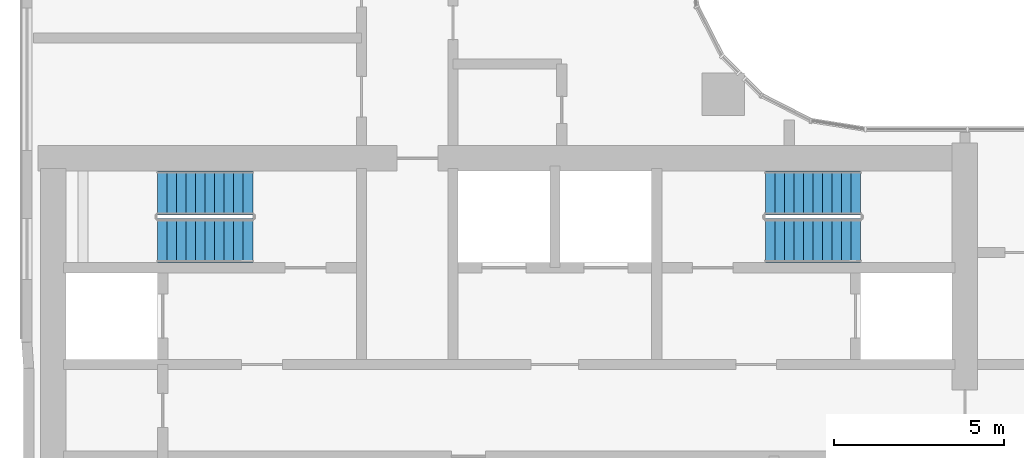
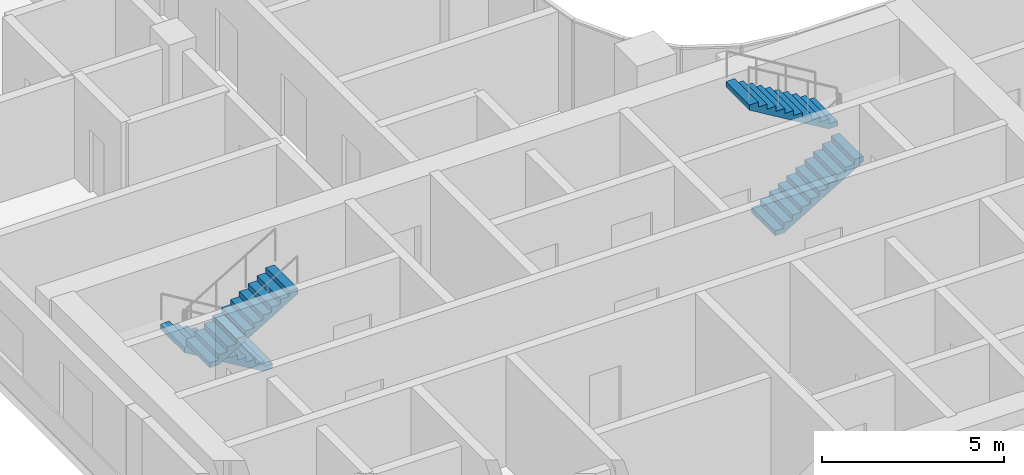
# One storey, part 26 of 35: 4 stair flights, 2 elements without a shape of their own.
"""IFC4 building model written with IfcOpenShell, lengths in metres."""

import ifcopenshell
import ifcopenshell.guid

model = None  # the IFC model being written
_history = None  # IfcOwnerHistory: only IFC2X3 demands one
_inside = {}  # id of a spatial element -> (the spatial element, [elements in it])
_under = {}  # id of a project, library or spatial element -> (it, [spatial elements below it])
_declared = {}  # id of a project -> (the project, [libraries it declares])
_typed = {}  # id of a type object -> (the type object, [elements of that type])
_made_of = {}  # id of a material, layer set ... -> (it, [elements and type objects made of it])


def new_model(schema):
    """Start an empty IFC model of exactly this schema.

    Asked for "IFC4X3", IfcOpenShell would pick the latest addendum, in which some entities
    have other attributes; the version numbers below select the first issue.
    IFC2X3 requires an IfcOwnerHistory on every rooted entity: one is made here for all.
    """
    global model, _history
    if schema == "IFC4X3":
        model = ifcopenshell.file(schema_version=(4, 3, 0, 0))
    else:
        model = ifcopenshell.file(schema=schema)
    _inside.clear()
    _under.clear()
    _declared.clear()
    _typed.clear()
    _made_of.clear()
    _history = None
    if model.schema == "IFC2X3":
        org = make("IfcOrganization", Name="unknown")
        user = make(
            "IfcPersonAndOrganization",
            ThePerson=make("IfcPerson", FamilyName="unknown"),
            TheOrganization=org,
        )
        app = make(
            "IfcApplication",
            ApplicationDeveloper=org,
            Version="unknown",
            ApplicationFullName="unknown",
            ApplicationIdentifier="unknown",
        )
        _history = make(
            "IfcOwnerHistory",
            OwningUser=user,
            OwningApplication=app,
            ChangeAction="ADDED",
            CreationDate=0,
        )
    return model


def make(cls, **values):
    """One entity of the class cls with the attributes given. An attribute that is None is left unset."""
    return model.create_entity(
        cls, **{name: value for name, value in values.items() if value is not None}
    )


def rooted(cls, **values):
    """An entity with a GlobalId (a new one), such as an element, a storey or a relation."""
    return make(cls, GlobalId=ifcopenshell.guid.new(), OwnerHistory=_history, **values)


def si_unit(unit_type, name, prefix=None):
    """IfcSIUnit, for example si_unit("LENGTHUNIT", "METRE", prefix="MILLI")."""
    return make("IfcSIUnit", UnitType=unit_type, Prefix=prefix, Name=name)


def assignment(units):
    """IfcUnitAssignment: the units of a project."""
    return None if units is None else make("IfcUnitAssignment", Units=units)


def point(xyz):
    """IfcCartesianPoint."""
    return None if xyz is None else make("IfcCartesianPoint", Coordinates=xyz)


def direction(xyz):
    """IfcDirection."""
    return None if xyz is None else make("IfcDirection", DirectionRatios=xyz)


def frame(location, z_axis=None, x_axis=None):
    """IfcAxis2Placement3D, a coordinate frame: its origin and axes. An axis left out is left unset."""
    return make(
        "IfcAxis2Placement3D",
        Location=point(location),
        Axis=direction(z_axis),
        RefDirection=direction(x_axis),
    )


def origin():
    """The frame at (0, 0, 0) with its axes left unset."""
    return frame((0.0, 0.0, 0.0))


def place(relative_to, where):
    """IfcLocalPlacement: puts the frame where relative to a parent placement (None: the world)."""
    return make(
        "IfcLocalPlacement", PlacementRelTo=relative_to, RelativePlacement=where
    )


def context(
    kind, dimensions, precision=None, world=None, true_north=None, identifier=None
):
    """IfcGeometricRepresentationContext, for example the 3D "Model" context."""
    return make(
        "IfcGeometricRepresentationContext",
        ContextIdentifier=identifier,
        ContextType=kind,
        CoordinateSpaceDimension=dimensions,
        Precision=precision,
        WorldCoordinateSystem=world,
        TrueNorth=true_north,
    )


def subcontext(parent, identifier, kind, view, scale=None):
    """IfcGeometricRepresentationSubContext, for example "Body" below "Model"."""
    return make(
        "IfcGeometricRepresentationSubContext",
        ContextIdentifier=identifier,
        ContextType=kind,
        ParentContext=parent,
        TargetScale=scale,
        TargetView=view,
    )


def project(units=None, contexts=None):
    """IfcProject with its units and contexts."""
    return rooted(
        "IfcProject",
        Name="project",
        RepresentationContexts=contexts,
        UnitsInContext=assignment(units),
    )


def spatial(cls, under=None, at=None, **own):
    """A site, building, storey or space (cls), placed at a placement, below another one or the project."""
    s = rooted(cls, ObjectPlacement=at, **own)
    if under is not None:
        _under.setdefault(under.id(), (under, []))[1].append(s)
    return s


def point_list(points):
    """IfcCartesianPointList2D or 3D."""
    cls = (
        "IfcCartesianPointList2D" if len(points[0]) == 2 else "IfcCartesianPointList3D"
    )
    return make(cls, CoordList=points)


def triangles(points, corners, closed=None, point_numbers=None):
    """IfcTriangulatedFaceSet: each triangle names its three corners, points numbered from 1."""
    return make(
        "IfcTriangulatedFaceSet",
        Coordinates=point_list(points),
        Closed=closed,
        CoordIndex=corners,
        PnIndex=point_numbers,
    )


def shape(context_of_items, identifier, shape_type, items):
    """IfcShapeRepresentation: the items that make up one representation, for example the "Body"."""
    return make(
        "IfcShapeRepresentation",
        ContextOfItems=context_of_items,
        RepresentationIdentifier=identifier,
        RepresentationType=shape_type,
        Items=items,
    )


def source(mapping_origin, context_of_items, identifier, shape_type, items):
    """IfcRepresentationMap: a shape defined once, which mapped items show again and again."""
    return make(
        "IfcRepresentationMap",
        MappingOrigin=mapping_origin,
        MappedRepresentation=shape(context_of_items, identifier, shape_type, items),
    )


def transform(
    local_origin,
    x_axis=None,
    y_axis=None,
    z_axis=None,
    scale=None,
    scale2=None,
    scale3=None,
    uniform=True,
):
    """IfcCartesianTransformationOperator3D, or its non-uniform kind. x_axis, y_axis, z_axis: its Axis1, 2, 3."""
    if uniform:
        return make(
            "IfcCartesianTransformationOperator3D",
            Axis1=direction(x_axis),
            Axis2=direction(y_axis),
            LocalOrigin=point(local_origin),
            Scale=scale,
            Axis3=direction(z_axis),
        )
    return make(
        "IfcCartesianTransformationOperator3DnonUniform",
        Axis1=direction(x_axis),
        Axis2=direction(y_axis),
        LocalOrigin=point(local_origin),
        Scale=scale,
        Axis3=direction(z_axis),
        Scale2=scale2,
        Scale3=scale3,
    )


def mapped(mapping_source, mapping_target):
    """IfcMappedItem: shows the shape of a source again, moved by a transform."""
    return make(
        "IfcMappedItem", MappingSource=mapping_source, MappingTarget=mapping_target
    )


def material(Name=None, Category=None):
    """IfcMaterial."""
    return make("IfcMaterial", Name=Name, Category=Category)


def made_of(thing, what):
    """Note that an element or type object is made of a material, layer set ...; save() writes the relation."""
    if what is not None:
        _made_of.setdefault(what.id(), (what, []))[1].append(thing)
    return thing


def type_object(cls, material=None, **own):
    """A type object (cls), such as IfcWallType, which elements share."""
    return made_of(rooted(cls, **own), material)


def element(
    cls,
    number,
    at=None,
    inside=None,
    cuts=None,
    type_object=None,
    material=None,
    context=None,
    identifier="Body",
    shape_type=None,
    held_by="IfcProductDefinitionShape",
    body=None,
    shapes=None,
    **own,
):
    """One element of the class cls, such as IfcWall. Its Tag is "e" and its number.

    at: its placement. inside: the storey or other place that contains it. cuts: it is an
    opening in that element (IfcRelVoidsElement). A single representation is given by context,
    identifier, shape_type and body (its items); several are given by shapes. held_by: the class
    of the entity that holds the representations. save() writes the other relations.
    """
    e = rooted(cls, Tag="e%d" % number, ObjectPlacement=at, **own)
    if body is not None:
        shapes = [shape(context, identifier, shape_type, body)]
    if shapes is not None:
        e.Representation = make(held_by, Representations=shapes)
    if inside is not None:
        _inside.setdefault(inside.id(), (inside, []))[1].append(e)
    if cuts is not None:
        rooted(
            "IfcRelVoidsElement", RelatingBuildingElement=cuts, RelatedOpeningElement=e
        )
    if type_object is not None:
        _typed.setdefault(type_object.id(), (type_object, []))[1].append(e)
    return made_of(e, material)


def aggregate(whole, parts):
    """IfcRelAggregates: a whole, such as a stair, and the parts it consists of."""
    return rooted("IfcRelAggregates", RelatingObject=whole, RelatedObjects=parts)


def save(model, path):
    """Write the relations noted so far, then the file.

    IfcRelAggregates (storeys below a building ...), IfcRelContainedInSpatialStructure (elements
    in a storey), IfcRelDefinesByType, IfcRelAssociatesMaterial and IfcRelDeclares: one each for
    every whole, place, type object, material and project.
    """
    for whole, parts in _under.values():
        aggregate(whole, parts)
    for where, things in _inside.values():
        rooted(
            "IfcRelContainedInSpatialStructure",
            RelatedElements=things,
            RelatingStructure=where,
        )
    for kind, things in _typed.values():
        rooted("IfcRelDefinesByType", RelatedObjects=things, RelatingType=kind)
    for what, things in _made_of.values():
        rooted("IfcRelAssociatesMaterial", RelatedObjects=things, RelatingMaterial=what)
    for by, libraries in _declared.values():
        rooted("IfcRelDeclares", RelatingContext=by, RelatedDefinitions=libraries)
    model.write(path)


model = new_model("IFC4")

# Units and contexts
model_context = context("Model", 3, precision=1e-05, world=origin(), true_north=direction((0.0, 1.0)))
body_context = subcontext(model_context, "Body", "Model", "MODEL_VIEW")
ifc_project = project(units=[si_unit("LENGTHUNIT", "METRE"), si_unit("AREAUNIT", "SQUARE_METRE"), si_unit("VOLUMEUNIT", "CUBIC_METRE"), si_unit("PLANEANGLEUNIT", "RADIAN"), si_unit("MASSUNIT", "GRAM", prefix="KILO")], contexts=[model_context])

# Site, building, storey
site_placement = place(None, origin())
site = spatial("IfcSite", under=ifc_project, at=site_placement, CompositionType="ELEMENT")
building_placement = place(site_placement, origin())
building = spatial("IfcBuilding", under=site, at=building_placement, Name="Ogive Portal Towers", CompositionType="ELEMENT")
storey_placement = place(building_placement, frame((0.0, 0.0, 94.5)))
storey = spatial("IfcBuildingStorey", under=building, at=storey_placement, Name="L22", CompositionType="ELEMENT", Elevation=94.5)

# Stair, stair flights
ifc_material = material(Name="Concrete C40/50", Category="concrete")
stair_type = type_object("IfcStairType", Name="INT-STAIR", PredefinedType="HALF_TURN_STAIR", material=ifc_material)
stair_1_placement = place(storey_placement, origin())
stair_1 = element("IfcStair", 1, at=stair_1_placement, inside=storey, type_object=stair_type, Name="L22 Exit Stair ST-A1", PredefinedType="HALF_TURN_STAIR")
stair_flight_type = type_object("IfcStairFlightType", Name="INT-FLIGHT", PredefinedType="STRAIGHT", material=ifc_material)
shared_shape = source(origin(), body_context, "Body", "Tessellation", [
    triangles([(0.0, -0.650146484375, 0.0), (0.0, -0.376220703125, 0.0), (0.0, -0.192626953125, 0.0), (0.0, -0.081298828125, 0.0), (0.0, -0.024169921875, 0.0), (0.0, -0.003173828125, 0.0), (0.0, 0.0, 0.0), (0.0, 0.0029296875, 0.0), (0.0, 0.02392578125, 0.0), (0.0, 0.0810546875, 0.0), (0.0, 0.1923828125, 0.0), (0.0, 0.3759765625, 0.0), (0.0, 0.64990234375, 0.0), (0.0, -0.650146484375, 0.168212890625), (0.0, -0.376220703125, 0.168212890625), (0.0, -0.192626953125, 0.168212890625), (0.0, -0.081298828125, 0.168212890625), (0.0, -0.024169921875, 0.168212890625), (0.0, -0.003173828125, 0.168212890625), (0.0, 0.0, 0.168212890625), (0.0, 0.0029296875, 0.168212890625), (0.0, 0.02392578125, 0.168212890625), (0.0, 0.0810546875, 0.168212890625), (0.0, 0.1923828125, 0.168212890625), (0.0, 0.3759765625, 0.168212890625), (0.0, 0.64990234375, 0.168212890625), (0.280029296875, -0.650146484375, 0.168212890625), (0.280029296875, -0.376220703125, 0.168212890625), (0.280029296875, -0.192626953125, 0.168212890625), (0.280029296875, -0.081298828125, 0.168212890625), (0.280029296875, -0.024169921875, 0.168212890625), (0.280029296875, -0.003173828125, 0.168212890625), (0.280029296875, 0.0, 0.168212890625), (0.280029296875, 0.0029296875, 0.168212890625), (0.280029296875, 0.02392578125, 0.168212890625), (0.280029296875, 0.0810546875, 0.168212890625), (0.280029296875, 0.1923828125, 0.168212890625), (0.280029296875, 0.3759765625, 0.168212890625), (0.280029296875, 0.64990234375, 0.168212890625), (0.280029296875, -0.650146484375, 0.33642578125), (0.280029296875, -0.376220703125, 0.33642578125), (0.280029296875, -0.192626953125, 0.33642578125), (0.280029296875, -0.081298828125, 0.33642578125), (0.280029296875, -0.024169921875, 0.33642578125), (0.280029296875, -0.003173828125, 0.33642578125), (0.280029296875, 0.0, 0.33642578125), (0.280029296875, 0.0029296875, 0.33642578125), (0.280029296875, 0.02392578125, 0.33642578125), (0.280029296875, 0.0810546875, 0.33642578125), (0.280029296875, 0.1923828125, 0.33642578125), (0.280029296875, 0.3759765625, 0.33642578125), (0.280029296875, 0.64990234375, 0.33642578125), (0.56005859375, -0.650146484375, 0.33642578125), (0.56005859375, -0.376220703125, 0.33642578125), (0.56005859375, -0.192626953125, 0.33642578125), (0.56005859375, -0.081298828125, 0.33642578125), (0.56005859375, -0.024169921875, 0.33642578125), (0.56005859375, -0.003173828125, 0.33642578125), (0.56005859375, 0.0, 0.33642578125), (0.56005859375, 0.0029296875, 0.33642578125), (0.56005859375, 0.02392578125, 0.33642578125), (0.56005859375, 0.0810546875, 0.33642578125), (0.56005859375, 0.1923828125, 0.33642578125), (0.56005859375, 0.3759765625, 0.33642578125), (0.56005859375, 0.64990234375, 0.33642578125), (0.56005859375, -0.650146484375, 0.504638671875), (0.56005859375, -0.376220703125, 0.504638671875), (0.56005859375, -0.192626953125, 0.504638671875), (0.56005859375, -0.081298828125, 0.504638671875), (0.56005859375, -0.024169921875, 0.504638671875), (0.56005859375, -0.003173828125, 0.504638671875), (0.56005859375, 0.0, 0.504638671875), (0.56005859375, 0.0029296875, 0.504638671875), (0.56005859375, 0.02392578125, 0.504638671875), (0.56005859375, 0.0810546875, 0.504638671875), (0.56005859375, 0.1923828125, 0.504638671875), (0.56005859375, 0.3759765625, 0.504638671875), (0.56005859375, 0.64990234375, 0.504638671875), (0.840087890625, -0.650146484375, 0.504638671875), (0.840087890625, -0.376220703125, 0.504638671875), (0.840087890625, -0.192626953125, 0.504638671875), (0.840087890625, -0.081298828125, 0.504638671875), (0.840087890625, -0.024169921875, 0.504638671875), (0.840087890625, -0.003173828125, 0.504638671875), (0.840087890625, 0.0, 0.504638671875), (0.840087890625, 0.0029296875, 0.504638671875), (0.840087890625, 0.02392578125, 0.504638671875), (0.840087890625, 0.0810546875, 0.504638671875), (0.840087890625, 0.1923828125, 0.504638671875), (0.840087890625, 0.3759765625, 0.504638671875), (0.840087890625, 0.64990234375, 0.504638671875), (0.840087890625, -0.650146484375, 0.672607421875), (0.840087890625, -0.376220703125, 0.672607421875), (0.840087890625, -0.192626953125, 0.672607421875), (0.840087890625, -0.081298828125, 0.672607421875), (0.840087890625, -0.024169921875, 0.672607421875), (0.840087890625, -0.003173828125, 0.672607421875), (0.840087890625, 0.0, 0.672607421875), (0.840087890625, 0.0029296875, 0.672607421875), (0.840087890625, 0.02392578125, 0.672607421875), (0.840087890625, 0.0810546875, 0.672607421875), (0.840087890625, 0.1923828125, 0.672607421875), (0.840087890625, 0.3759765625, 0.672607421875), (0.840087890625, 0.64990234375, 0.672607421875), (1.1201171875, -0.650146484375, 0.672607421875), (1.1201171875, -0.376220703125, 0.672607421875), (1.1201171875, -0.192626953125, 0.672607421875), (1.1201171875, -0.081298828125, 0.672607421875), (1.1201171875, -0.024169921875, 0.672607421875), (1.1201171875, -0.003173828125, 0.672607421875), (1.1201171875, 0.0, 0.672607421875), (1.1201171875, 0.0029296875, 0.672607421875), (1.1201171875, 0.02392578125, 0.672607421875), (1.1201171875, 0.0810546875, 0.672607421875), (1.1201171875, 0.1923828125, 0.672607421875), (1.1201171875, 0.3759765625, 0.672607421875), (1.1201171875, 0.64990234375, 0.672607421875), (1.1201171875, -0.650146484375, 0.8408203125), (1.1201171875, -0.376220703125, 0.8408203125), (1.1201171875, -0.192626953125, 0.8408203125), (1.1201171875, -0.081298828125, 0.8408203125), (1.1201171875, -0.024169921875, 0.8408203125), (1.1201171875, -0.003173828125, 0.8408203125), (1.1201171875, 0.0, 0.8408203125), (1.1201171875, 0.0029296875, 0.8408203125), (1.1201171875, 0.02392578125, 0.8408203125), (1.1201171875, 0.0810546875, 0.8408203125), (1.1201171875, 0.1923828125, 0.8408203125), (1.1201171875, 0.3759765625, 0.8408203125), (1.1201171875, 0.64990234375, 0.8408203125), (1.39990234375, -0.650146484375, 0.8408203125), (1.39990234375, -0.376220703125, 0.8408203125), (1.39990234375, -0.192626953125, 0.8408203125), (1.39990234375, -0.081298828125, 0.8408203125), (1.39990234375, -0.024169921875, 0.8408203125), (1.39990234375, -0.003173828125, 0.8408203125), (1.39990234375, 0.0, 0.8408203125), (1.39990234375, 0.0029296875, 0.8408203125), (1.39990234375, 0.02392578125, 0.8408203125), (1.39990234375, 0.0810546875, 0.8408203125), (1.39990234375, 0.1923828125, 0.8408203125), (1.39990234375, 0.3759765625, 0.8408203125), (1.39990234375, 0.64990234375, 0.8408203125), (1.39990234375, -0.650146484375, 1.009033203125), (1.39990234375, -0.376220703125, 1.009033203125), (1.39990234375, -0.192626953125, 1.009033203125), (1.39990234375, -0.081298828125, 1.009033203125), (1.39990234375, -0.024169921875, 1.009033203125), (1.39990234375, -0.003173828125, 1.009033203125), (1.39990234375, 0.0, 1.009033203125), (1.39990234375, 0.0029296875, 1.009033203125), (1.39990234375, 0.02392578125, 1.009033203125), (1.39990234375, 0.0810546875, 1.009033203125), (1.39990234375, 0.1923828125, 1.009033203125), (1.39990234375, 0.3759765625, 1.009033203125), (1.39990234375, 0.64990234375, 1.009033203125), (1.679931640625, -0.650146484375, 1.009033203125), (1.679931640625, -0.376220703125, 1.009033203125), (1.679931640625, -0.192626953125, 1.009033203125), (1.679931640625, -0.081298828125, 1.009033203125), (1.679931640625, -0.024169921875, 1.009033203125), (1.679931640625, -0.003173828125, 1.009033203125), (1.679931640625, 0.0, 1.009033203125), (1.679931640625, 0.0029296875, 1.009033203125), (1.679931640625, 0.02392578125, 1.009033203125), (1.679931640625, 0.0810546875, 1.009033203125), (1.679931640625, 0.1923828125, 1.009033203125), (1.679931640625, 0.3759765625, 1.009033203125), (1.679931640625, 0.64990234375, 1.009033203125), (1.679931640625, -0.650146484375, 1.17724609375), (1.679931640625, -0.376220703125, 1.17724609375), (1.679931640625, -0.192626953125, 1.17724609375), (1.679931640625, -0.081298828125, 1.17724609375), (1.679931640625, -0.024169921875, 1.17724609375), (1.679931640625, -0.003173828125, 1.17724609375), (1.679931640625, 0.0, 1.17724609375), (1.679931640625, 0.0029296875, 1.17724609375), (1.679931640625, 0.02392578125, 1.17724609375), (1.679931640625, 0.0810546875, 1.17724609375), (1.679931640625, 0.1923828125, 1.17724609375), (1.679931640625, 0.3759765625, 1.17724609375), (1.679931640625, 0.64990234375, 1.17724609375), (1.9599609375, -0.650146484375, 1.17724609375), (1.9599609375, -0.376220703125, 1.17724609375), (1.9599609375, -0.192626953125, 1.17724609375), (1.9599609375, -0.081298828125, 1.17724609375), (1.9599609375, -0.024169921875, 1.17724609375), (1.9599609375, -0.003173828125, 1.17724609375), (1.9599609375, 0.0, 1.17724609375), (1.9599609375, 0.0029296875, 1.17724609375), (1.9599609375, 0.02392578125, 1.17724609375), (1.9599609375, 0.0810546875, 1.17724609375), (1.9599609375, 0.1923828125, 1.17724609375), (1.9599609375, 0.3759765625, 1.17724609375), (1.9599609375, 0.64990234375, 1.17724609375), (1.9599609375, -0.650146484375, 1.345458984375), (1.9599609375, -0.376220703125, 1.345458984375), (1.9599609375, -0.192626953125, 1.345458984375), (1.9599609375, -0.081298828125, 1.345458984375), (1.9599609375, -0.024169921875, 1.345458984375), (1.9599609375, -0.003173828125, 1.345458984375), (1.9599609375, 0.0, 1.345458984375), (1.9599609375, 0.0029296875, 1.345458984375), (1.9599609375, 0.02392578125, 1.345458984375), (1.9599609375, 0.0810546875, 1.345458984375), (1.9599609375, 0.1923828125, 1.345458984375), (1.9599609375, 0.3759765625, 1.345458984375), (1.9599609375, 0.64990234375, 1.345458984375), (2.239990234375, -0.650146484375, 1.345458984375), (2.239990234375, -0.376220703125, 1.345458984375), (2.239990234375, -0.192626953125, 1.345458984375), (2.239990234375, -0.081298828125, 1.345458984375), (2.239990234375, -0.024169921875, 1.345458984375), (2.239990234375, -0.003173828125, 1.345458984375), (2.239990234375, 0.0, 1.345458984375), (2.239990234375, 0.0029296875, 1.345458984375), (2.239990234375, 0.02392578125, 1.345458984375), (2.239990234375, 0.0810546875, 1.345458984375), (2.239990234375, 0.1923828125, 1.345458984375), (2.239990234375, 0.3759765625, 1.345458984375), (2.239990234375, 0.64990234375, 1.345458984375), (2.239990234375, -0.650146484375, 1.513671875), (2.239990234375, -0.376220703125, 1.513671875), (2.239990234375, -0.192626953125, 1.513671875), (2.239990234375, -0.081298828125, 1.513671875), (2.239990234375, -0.024169921875, 1.513671875), (2.239990234375, -0.003173828125, 1.513671875), (2.239990234375, 0.0, 1.513671875), (2.239990234375, 0.0029296875, 1.513671875), (2.239990234375, 0.02392578125, 1.513671875), (2.239990234375, 0.0810546875, 1.513671875), (2.239990234375, 0.1923828125, 1.513671875), (2.239990234375, 0.3759765625, 1.513671875), (2.239990234375, 0.64990234375, 1.513671875), (2.52001953125, -0.650146484375, 1.513671875), (2.52001953125, -0.376220703125, 1.513671875), (2.52001953125, -0.192626953125, 1.513671875), (2.52001953125, -0.081298828125, 1.513671875), (2.52001953125, -0.024169921875, 1.513671875), (2.52001953125, -0.003173828125, 1.513671875), (2.52001953125, 0.0, 1.513671875), (2.52001953125, 0.0029296875, 1.513671875), (2.52001953125, 0.02392578125, 1.513671875), (2.52001953125, 0.0810546875, 1.513671875), (2.52001953125, 0.1923828125, 1.513671875), (2.52001953125, 0.3759765625, 1.513671875), (2.52001953125, 0.64990234375, 1.513671875), (2.52001953125, -0.650146484375, 1.681884765625), (2.52001953125, -0.376220703125, 1.681884765625), (2.52001953125, -0.192626953125, 1.681884765625), (2.52001953125, -0.081298828125, 1.681884765625), (2.52001953125, -0.024169921875, 1.681884765625), (2.52001953125, -0.003173828125, 1.681884765625), (2.52001953125, 0.0, 1.681884765625), (2.52001953125, 0.0029296875, 1.681884765625), (2.52001953125, 0.02392578125, 1.681884765625), (2.52001953125, 0.0810546875, 1.681884765625), (2.52001953125, 0.1923828125, 1.681884765625), (2.52001953125, 0.3759765625, 1.681884765625), (2.52001953125, 0.64990234375, 1.681884765625), (2.800048828125, -0.650146484375, 1.681884765625), (2.800048828125, -0.376220703125, 1.681884765625), (2.800048828125, -0.192626953125, 1.681884765625), (2.800048828125, -0.081298828125, 1.681884765625), (2.800048828125, -0.024169921875, 1.681884765625), (2.800048828125, -0.003173828125, 1.681884765625), (2.800048828125, 0.0, 1.681884765625), (2.800048828125, 0.0029296875, 1.681884765625), (2.800048828125, 0.02392578125, 1.681884765625), (2.800048828125, 0.0810546875, 1.681884765625), (2.800048828125, 0.1923828125, 1.681884765625), (2.800048828125, 0.3759765625, 1.681884765625), (2.800048828125, 0.64990234375, 1.681884765625), (2.800048828125, -0.650146484375, 1.5068359375), (2.800048828125, -0.376220703125, 1.5068359375), (2.800048828125, -0.192626953125, 1.5068359375), (2.800048828125, -0.081298828125, 1.5068359375), (2.800048828125, -0.024169921875, 1.5068359375), (2.800048828125, -0.003173828125, 1.5068359375), (2.800048828125, 0.0, 1.5068359375), (2.800048828125, 0.0029296875, 1.5068359375), (2.800048828125, 0.02392578125, 1.5068359375), (2.800048828125, 0.0810546875, 1.5068359375), (2.800048828125, 0.1923828125, 1.5068359375), (2.800048828125, 0.3759765625, 1.5068359375), (2.800048828125, 0.64990234375, 1.5068359375), (0.291015625, -0.650146484375, 0.0), (0.291015625, -0.376220703125, 0.0), (0.291015625, -0.192626953125, 0.0), (0.291015625, -0.081298828125, 0.0), (0.291015625, -0.024169921875, 0.0), (0.291015625, -0.003173828125, 0.0), (0.291015625, 0.0, 0.0), (0.291015625, 0.0029296875, 0.0), (0.291015625, 0.02392578125, 0.0), (0.291015625, 0.0810546875, 0.0), (0.291015625, 0.1923828125, 0.0), (0.291015625, 0.3759765625, 0.0), (0.291015625, 0.64990234375, 0.0)], [[1, 14, 15], [1, 15, 2], [2, 15, 16], [2, 16, 3], [3, 16, 17], [3, 17, 4], [4, 17, 18], [4, 18, 5], [5, 18, 19], [5, 19, 6], [6, 19, 20], [6, 20, 7], [7, 20, 21], [7, 21, 8], [8, 21, 22], [8, 22, 9], [9, 22, 23], [9, 23, 10], [10, 23, 24], [10, 24, 11], [11, 24, 25], [11, 25, 12], [12, 25, 26], [12, 26, 13], [14, 27, 28], [14, 28, 15], [15, 28, 29], [15, 29, 16], [16, 29, 30], [16, 30, 17], [17, 30, 31], [17, 31, 18], [18, 31, 32], [18, 32, 19], [19, 32, 33], [19, 33, 20], [20, 33, 34], [20, 34, 21], [21, 34, 35], [21, 35, 22], [22, 35, 36], [22, 36, 23], [23, 36, 37], [23, 37, 24], [24, 37, 38], [24, 38, 25], [25, 38, 39], [25, 39, 26], [27, 40, 41], [27, 41, 28], [28, 41, 42], [28, 42, 29], [29, 42, 43], [29, 43, 30], [30, 43, 44], [30, 44, 31], [31, 44, 45], [31, 45, 32], [32, 45, 46], [32, 46, 33], [33, 46, 47], [33, 47, 34], [34, 47, 48], [34, 48, 35], [35, 48, 49], [35, 49, 36], [36, 49, 50], [36, 50, 37], [37, 50, 51], [37, 51, 38], [38, 51, 52], [38, 52, 39], [40, 53, 54], [40, 54, 41], [41, 54, 55], [41, 55, 42], [42, 55, 56], [42, 56, 43], [43, 56, 57], [43, 57, 44], [44, 57, 58], [44, 58, 45], [45, 58, 59], [45, 59, 46], [46, 59, 60], [46, 60, 47], [47, 60, 61], [47, 61, 48], [48, 61, 62], [48, 62, 49], [49, 62, 63], [49, 63, 50], [50, 63, 64], [50, 64, 51], [51, 64, 65], [51, 65, 52], [53, 66, 67], [53, 67, 54], [54, 67, 68], [54, 68, 55], [55, 68, 69], [55, 69, 56], [56, 69, 70], [56, 70, 57], [57, 70, 71], [57, 71, 58], [58, 71, 72], [58, 72, 59], [59, 72, 73], [59, 73, 60], [60, 73, 74], [60, 74, 61], [61, 74, 75], [61, 75, 62], [62, 75, 76], [62, 76, 63], [63, 76, 77], [63, 77, 64], [64, 77, 78], [64, 78, 65], [66, 79, 80], [66, 80, 67], [67, 80, 81], [67, 81, 68], [68, 81, 82], [68, 82, 69], [69, 82, 83], [69, 83, 70], [70, 83, 84], [70, 84, 71], [71, 84, 85], [71, 85, 72], [72, 85, 86], [72, 86, 73], [73, 86, 87], [73, 87, 74], [74, 87, 88], [74, 88, 75], [75, 88, 89], [75, 89, 76], [76, 89, 90], [76, 90, 77], [77, 90, 91], [77, 91, 78], [79, 92, 93], [79, 93, 80], [80, 93, 94], [80, 94, 81], [81, 94, 95], [81, 95, 82], [82, 95, 96], [82, 96, 83], [83, 96, 97], [83, 97, 84], [84, 97, 98], [84, 98, 85], [85, 98, 99], [85, 99, 86], [86, 99, 100], [86, 100, 87], [87, 100, 101], [87, 101, 88], [88, 101, 102], [88, 102, 89], [89, 102, 103], [89, 103, 90], [90, 103, 104], [90, 104, 91], [92, 105, 106], [92, 106, 93], [93, 106, 107], [93, 107, 94], [94, 107, 108], [94, 108, 95], [95, 108, 109], [95, 109, 96], [96, 109, 110], [96, 110, 97], [97, 110, 111], [97, 111, 98], [98, 111, 112], [98, 112, 99], [99, 112, 113], [99, 113, 100], [100, 113, 114], [100, 114, 101], [101, 114, 115], [101, 115, 102], [102, 115, 116], [102, 116, 103], [103, 116, 117], [103, 117, 104], [105, 118, 119], [105, 119, 106], [106, 119, 120], [106, 120, 107], [107, 120, 121], [107, 121, 108], [108, 121, 122], [108, 122, 109], [109, 122, 123], [109, 123, 110], [110, 123, 124], [110, 124, 111], [111, 124, 125], [111, 125, 112], [112, 125, 126], [112, 126, 113], [113, 126, 127], [113, 127, 114], [114, 127, 128], [114, 128, 115], [115, 128, 129], [115, 129, 116], [116, 129, 130], [116, 130, 117], [118, 131, 132], [118, 132, 119], [119, 132, 133], [119, 133, 120], [120, 133, 134], [120, 134, 121], [121, 134, 135], [121, 135, 122], [122, 135, 136], [122, 136, 123], [123, 136, 137], [123, 137, 124], [124, 137, 138], [124, 138, 125], [125, 138, 139], [125, 139, 126], [126, 139, 140], [126, 140, 127], [127, 140, 141], [127, 141, 128], [128, 141, 142], [128, 142, 129], [129, 142, 143], [129, 143, 130], [131, 144, 145], [131, 145, 132], [132, 145, 146], [132, 146, 133], [133, 146, 147], [133, 147, 134], [134, 147, 148], [134, 148, 135], [135, 148, 149], [135, 149, 136], [136, 149, 150], [136, 150, 137], [137, 150, 151], [137, 151, 138], [138, 151, 152], [138, 152, 139], [139, 152, 153], [139, 153, 140], [140, 153, 154], [140, 154, 141], [141, 154, 155], [141, 155, 142], [142, 155, 156], [142, 156, 143], [144, 157, 158], [144, 158, 145], [145, 158, 159], [145, 159, 146], [146, 159, 160], [146, 160, 147], [147, 160, 161], [147, 161, 148], [148, 161, 162], [148, 162, 149], [149, 162, 163], [149, 163, 150], [150, 163, 164], [150, 164, 151], [151, 164, 165], [151, 165, 152], [152, 165, 166], [152, 166, 153], [153, 166, 167], [153, 167, 154], [154, 167, 168], [154, 168, 155], [155, 168, 169], [155, 169, 156], [157, 170, 171], [157, 171, 158], [158, 171, 172], [158, 172, 159], [159, 172, 173], [159, 173, 160], [160, 173, 174], [160, 174, 161], [161, 174, 175], [161, 175, 162], [162, 175, 176], [162, 176, 163], [163, 176, 177], [163, 177, 164], [164, 177, 178], [164, 178, 165], [165, 178, 179], [165, 179, 166], [166, 179, 180], [166, 180, 167], [167, 180, 181], [167, 181, 168], [168, 181, 182], [168, 182, 169], [170, 183, 184], [170, 184, 171], [171, 184, 185], [171, 185, 172], [172, 185, 186], [172, 186, 173], [173, 186, 187], [173, 187, 174], [174, 187, 188], [174, 188, 175], [175, 188, 189], [175, 189, 176], [176, 189, 190], [176, 190, 177], [177, 190, 191], [177, 191, 178], [178, 191, 192], [178, 192, 179], [179, 192, 193], [179, 193, 180], [180, 193, 194], [180, 194, 181], [181, 194, 195], [181, 195, 182], [183, 196, 197], [183, 197, 184], [184, 197, 198], [184, 198, 185], [185, 198, 199], [185, 199, 186], [186, 199, 200], [186, 200, 187], [187, 200, 201], [187, 201, 188], [188, 201, 202], [188, 202, 189], [189, 202, 203], [189, 203, 190], [190, 203, 204], [190, 204, 191], [191, 204, 205], [191, 205, 192], [192, 205, 206], [192, 206, 193], [193, 206, 207], [193, 207, 194], [194, 207, 208], [194, 208, 195], [196, 209, 210], [196, 210, 197], [197, 210, 211], [197, 211, 198], [198, 211, 212], [198, 212, 199], [199, 212, 213], [199, 213, 200], [200, 213, 214], [200, 214, 201], [201, 214, 215], [201, 215, 202], [202, 215, 216], [202, 216, 203], [203, 216, 217], [203, 217, 204], [204, 217, 218], [204, 218, 205], [205, 218, 219], [205, 219, 206], [206, 219, 220], [206, 220, 207], [207, 220, 221], [207, 221, 208], [209, 222, 223], [209, 223, 210], [210, 223, 224], [210, 224, 211], [211, 224, 225], [211, 225, 212], [212, 225, 226], [212, 226, 213], [213, 226, 227], [213, 227, 214], [214, 227, 228], [214, 228, 215], [215, 228, 229], [215, 229, 216], [216, 229, 230], [216, 230, 217], [217, 230, 231], [217, 231, 218], [218, 231, 232], [218, 232, 219], [219, 232, 233], [219, 233, 220], [220, 233, 234], [220, 234, 221], [222, 235, 236], [222, 236, 223], [223, 236, 237], [223, 237, 224], [224, 237, 238], [224, 238, 225], [225, 238, 239], [225, 239, 226], [226, 239, 240], [226, 240, 227], [227, 240, 241], [227, 241, 228], [228, 241, 242], [228, 242, 229], [229, 242, 243], [229, 243, 230], [230, 243, 244], [230, 244, 231], [231, 244, 245], [231, 245, 232], [232, 245, 246], [232, 246, 233], [233, 246, 247], [233, 247, 234], [235, 248, 249], [235, 249, 236], [236, 249, 250], [236, 250, 237], [237, 250, 251], [237, 251, 238], [238, 251, 252], [238, 252, 239], [239, 252, 253], [239, 253, 240], [240, 253, 254], [240, 254, 241], [241, 254, 255], [241, 255, 242], [242, 255, 256], [242, 256, 243], [243, 256, 257], [243, 257, 244], [244, 257, 258], [244, 258, 245], [245, 258, 259], [245, 259, 246], [246, 259, 260], [246, 260, 247], [248, 261, 262], [248, 262, 249], [249, 262, 263], [249, 263, 250], [250, 263, 264], [250, 264, 251], [251, 264, 265], [251, 265, 252], [252, 265, 266], [252, 266, 253], [253, 266, 267], [253, 267, 254], [254, 267, 268], [254, 268, 255], [255, 268, 269], [255, 269, 256], [256, 269, 270], [256, 270, 257], [257, 270, 271], [257, 271, 258], [258, 271, 272], [258, 272, 259], [259, 272, 273], [259, 273, 260], [261, 274, 275], [261, 275, 262], [262, 275, 276], [262, 276, 263], [263, 276, 277], [263, 277, 264], [264, 277, 278], [264, 278, 265], [265, 278, 279], [265, 279, 266], [266, 279, 280], [266, 280, 267], [267, 280, 281], [267, 281, 268], [268, 281, 282], [268, 282, 269], [269, 282, 283], [269, 283, 270], [270, 283, 284], [270, 284, 271], [271, 284, 285], [271, 285, 272], [272, 285, 286], [272, 286, 273], [274, 287, 288], [274, 288, 275], [275, 288, 289], [275, 289, 276], [276, 289, 290], [276, 290, 277], [277, 290, 291], [277, 291, 278], [278, 291, 292], [278, 292, 279], [279, 292, 293], [279, 293, 280], [280, 293, 294], [280, 294, 281], [281, 294, 295], [281, 295, 282], [282, 295, 296], [282, 296, 283], [283, 296, 297], [283, 297, 284], [284, 297, 298], [284, 298, 285], [285, 298, 299], [285, 299, 286], [287, 1, 2], [287, 2, 288], [288, 2, 3], [288, 3, 289], [289, 3, 4], [289, 4, 290], [290, 4, 5], [290, 5, 291], [291, 5, 6], [291, 6, 292], [292, 6, 7], [292, 7, 293], [293, 7, 8], [293, 8, 294], [294, 8, 9], [294, 9, 295], [295, 9, 10], [295, 10, 296], [296, 10, 11], [296, 11, 297], [297, 11, 12], [297, 12, 298], [298, 12, 13], [298, 13, 299], [1, 287, 274], [13, 286, 299], [274, 261, 248], [286, 260, 273], [274, 248, 235], [286, 247, 260], [274, 235, 222], [286, 234, 247], [274, 222, 209], [286, 221, 234], [209, 196, 183], [221, 195, 208], [274, 209, 183], [286, 195, 221], [183, 170, 157], [195, 169, 182], [274, 183, 157], [286, 169, 195], [157, 144, 131], [169, 143, 156], [274, 157, 131], [286, 143, 169], [131, 118, 105], [143, 117, 130], [274, 131, 105], [286, 117, 143], [1, 274, 105], [13, 117, 286], [105, 92, 79], [117, 91, 104], [79, 66, 53], [91, 65, 78], [105, 79, 53], [117, 65, 91], [53, 40, 27], [65, 39, 52], [105, 53, 27], [117, 39, 65], [1, 105, 27], [13, 39, 117], [27, 14, 1], [39, 13, 26]], closed=True),
])
stair_flight_1_placement = place(storey_placement, frame((37.449951171875, 38.39990234375, 0.0), z_axis=(0.0, 0.0, 1.0), x_axis=(-1.0, 0.0, 0.0)))
stair_flight_1 = element("IfcStairFlight", 2, at=stair_flight_1_placement, type_object=stair_flight_type, Name="ST-A1 flight 1", NumberOfRisers=11, NumberOfTreads=10, PredefinedType="STRAIGHT", RiserHeight=0.168181818, TreadLength=0.28, context=body_context, shape_type="MappedRepresentation", body=[
    mapped(shared_shape, transform((0.0, 0.0, 0.0), scale=1.0)),
])
stair_flight_2_placement = place(storey_placement, frame((34.64990234375, 37.0, 1.85009765625), z_axis=(0.0, 0.0, 1.0), x_axis=(1.0, 0.0, 0.0)))
stair_flight_2 = element("IfcStairFlight", 3, at=stair_flight_2_placement, type_object=stair_flight_type, Name="ST-A1 flight 2", NumberOfRisers=11, NumberOfTreads=10, PredefinedType="STRAIGHT", RiserHeight=0.168181818, TreadLength=0.28, context=body_context, shape_type="MappedRepresentation", body=[
    mapped(shared_shape, transform((0.0, 0.0, 0.0), scale=1.0)),
])
aggregate(stair_1, [stair_flight_1, stair_flight_2])

stair_2_placement = place(storey_placement, origin())
stair_2 = element("IfcStair", 4, at=stair_2_placement, inside=storey, type_object=stair_type, Name="L22 Exit Stair ST-A2", PredefinedType="HALF_TURN_STAIR")
stair_flight_3_placement = place(storey_placement, frame((52.550048828125, 37.0, 0.0), z_axis=(0.0, 0.0, 1.0), x_axis=(1.0, 0.0, 0.0)))
stair_flight_3 = element("IfcStairFlight", 5, at=stair_flight_3_placement, type_object=stair_flight_type, Name="ST-A2 flight 1", NumberOfRisers=11, NumberOfTreads=10, PredefinedType="STRAIGHT", RiserHeight=0.168181818, TreadLength=0.28, context=body_context, shape_type="MappedRepresentation", body=[
    mapped(shared_shape, transform((0.0, 0.0, 0.0), scale=1.0)),
])
stair_flight_4_placement = place(storey_placement, frame((55.35009765625, 38.39990234375, 1.85009765625), z_axis=(0.0, 0.0, 1.0), x_axis=(-1.0, 0.0, 0.0)))
stair_flight_4 = element("IfcStairFlight", 6, at=stair_flight_4_placement, type_object=stair_flight_type, Name="ST-A2 flight 2", NumberOfRisers=11, NumberOfTreads=10, PredefinedType="STRAIGHT", RiserHeight=0.168181818, TreadLength=0.28, context=body_context, shape_type="MappedRepresentation", body=[
    mapped(shared_shape, transform((0.0, 0.0, 0.0), scale=1.0)),
])
aggregate(stair_2, [stair_flight_3, stair_flight_4])

save(model, "model.ifc")
